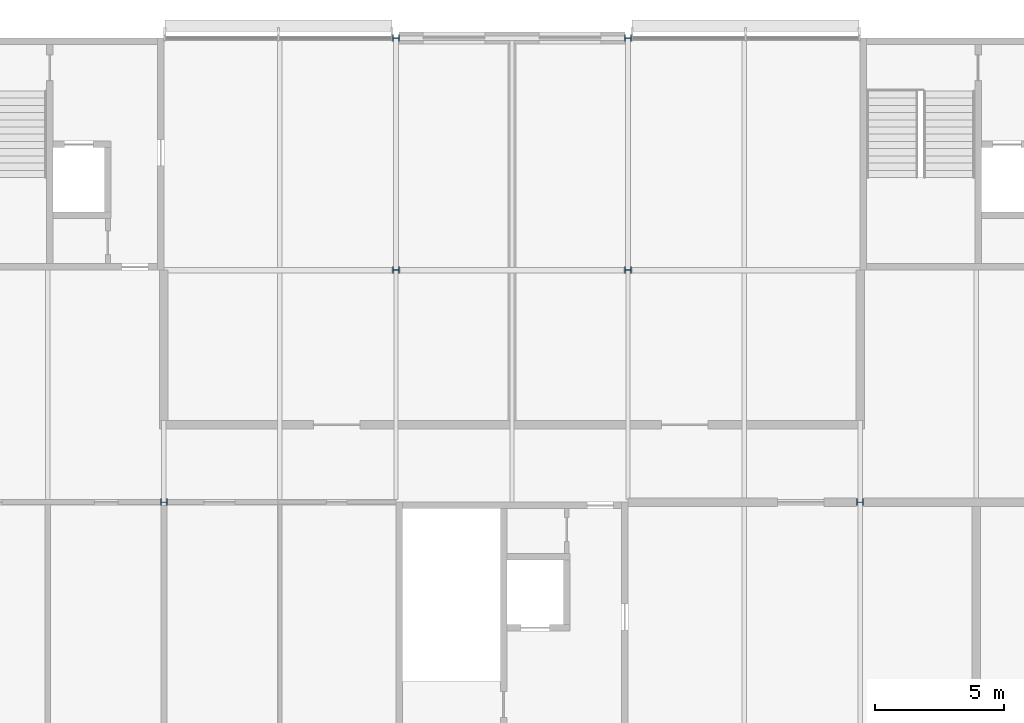
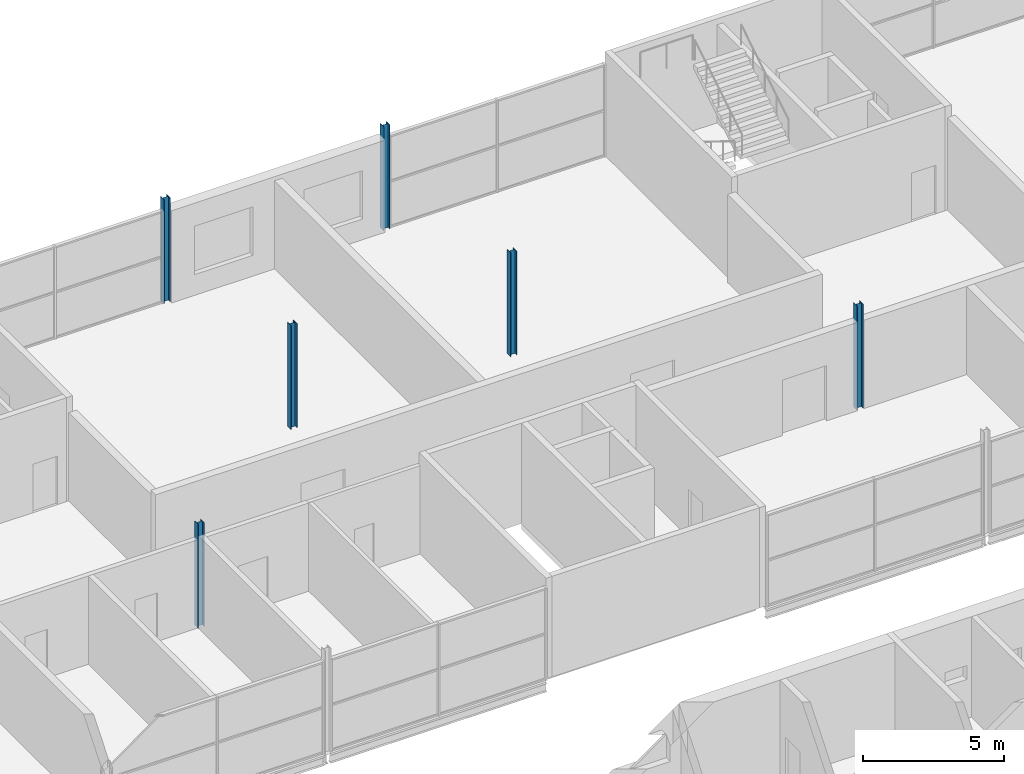
# One storey, part 18 of 138: 6 columns.
"""IFC4 building model written with IfcOpenShell, lengths in metres."""

from ifc_helpers import new_model, si_unit, direction, frame, origin, origin_2d, place, context, subcontext, project, spatial, i_section, extrude, material, material_profile, profile_set, type_object, element, save


model = new_model("IFC4")

# Units and contexts
model_context = context("Model", 3, precision=1e-05, world=origin(), true_north=direction((0.0, 1.0)))
body_context = subcontext(model_context, "Body", "Model", "MODEL_VIEW")
ifc_project = project(units=[si_unit("LENGTHUNIT", "METRE"), si_unit("AREAUNIT", "SQUARE_METRE"), si_unit("VOLUMEUNIT", "CUBIC_METRE"), si_unit("PLANEANGLEUNIT", "RADIAN"), si_unit("MASSUNIT", "GRAM", prefix="KILO")], contexts=[model_context])

# Site, building, storey
site_placement = place(None, origin())
site = spatial("IfcSite", under=ifc_project, at=site_placement, CompositionType="ELEMENT")
building_placement = place(site_placement, origin())
building = spatial("IfcBuilding", under=site, at=building_placement, Name="Corbel Yard City Hall", CompositionType="ELEMENT")
storey_placement = place(building_placement, frame((0.0, 0.0, 10.5)))
storey = spatial("IfcBuildingStorey", under=building, at=storey_placement, Name="L02", CompositionType="ELEMENT", Elevation=10.5)

# Columns
ifc_material = material(Name="Steel Grade 300 (300 MPa yield)", Category="steel")
ifc_material_profile_1 = material_profile(ifc_material, i_section(OverallWidth=0.25390625, OverallDepth=0.25390625, WebThickness=0.008544921875, FlangeThickness=0.01416015625, at=origin_2d()), Name="250UC72.9")
ifc_profile_set_1 = profile_set([ifc_material_profile_1], Name="Steel Grade 300 (300 MPa yield)")
column_type_1 = type_object("IfcColumnType", Name="Column 250UC72.9", PredefinedType="COLUMN", material=ifc_profile_set_1)
for number, where, z_axis, x_axis, name in (
    (1, (81.0, 117.0, 0.0), (0.0, 0.0, 1.0), (0.0, 1.0, 0.0), "Column 250UC72.9 N/10 L02"),
    (2, (90.0, 117.0, 0.0), (0.0, 0.0, 1.0), (0.0, 1.0, 0.0), "Column 250UC72.9 N/11 L02"),
):
    element("IfcColumn", number, at=place(storey_placement, frame(where, z_axis=z_axis, x_axis=x_axis)), inside=storey, type_object=column_type_1, Name=name, PredefinedType="COLUMN", context=body_context, shape_type="SweptSolid", body=[
        extrude(i_section(OverallWidth=0.25390625, OverallDepth=0.25390625, WebThickness=0.008544921875, FlangeThickness=0.01416015625, at=origin_2d()), origin(), (0.0, 0.0, 1.0), 4.5),
    ])
ifc_material_profile_2 = material_profile(ifc_material, i_section(OverallWidth=0.256103515625, OverallDepth=0.260009765625, WebThickness=0.010498046875, FlangeThickness=0.017333984375, at=origin_2d()), Name="250UC89.5")
ifc_profile_set_2 = profile_set([ifc_material_profile_2], Name="Steel Grade 300 (300 MPa yield)")
column_type_2 = type_object("IfcColumnType", Name="Column 250UC89.5", PredefinedType="COLUMN", material=ifc_profile_set_2)
for number, where, z_axis, x_axis, name in (
    (3, (72.0, 99.0, 0.0), (0.0, 0.0, 1.0), (0.0, 1.0, 0.0), "Column 250UC89.5 L/9 L02"),
    (4, (81.0, 108.0, 0.0), (0.0, 0.0, 1.0), (0.0, 1.0, 0.0), "Column 250UC89.5 M/10 L02"),
    (5, (90.0, 108.0, 0.0), (0.0, 0.0, 1.0), (0.0, 1.0, 0.0), "Column 250UC89.5 M/11 L02"),
    (6, (99.0, 99.0, 0.0), (0.0, 0.0, 1.0), (0.0, 1.0, 0.0), "Column 250UC89.5 L/12 L02"),
):
    element("IfcColumn", number, at=place(storey_placement, frame(where, z_axis=z_axis, x_axis=x_axis)), inside=storey, type_object=column_type_2, Name=name, PredefinedType="COLUMN", context=body_context, shape_type="SweptSolid", body=[
        extrude(i_section(OverallWidth=0.256103515625, OverallDepth=0.260009765625, WebThickness=0.010498046875, FlangeThickness=0.017333984375, at=origin_2d()), origin(), (0.0, 0.0, 1.0), 4.5),
    ])

save(model, "model.ifc")
